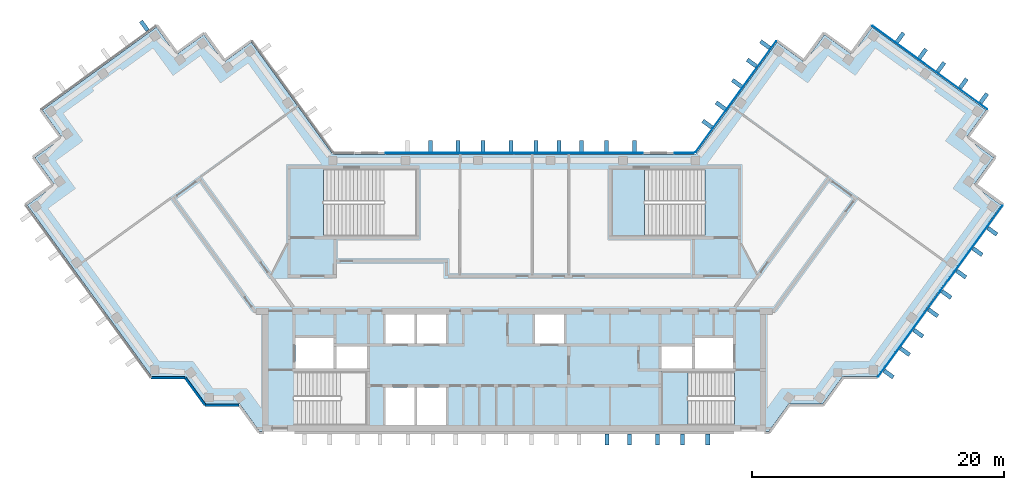
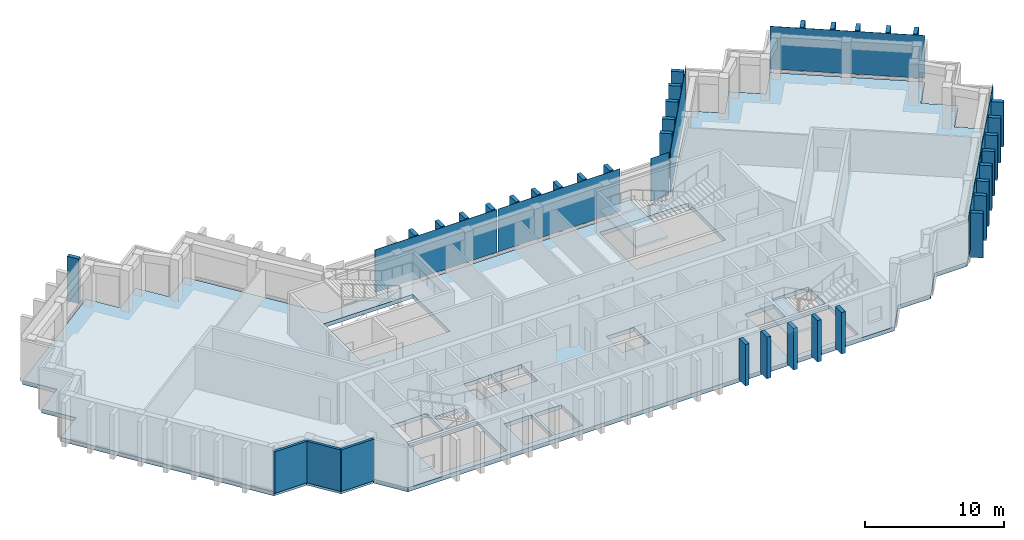
"""IFC4 building model written with IfcOpenShell, lengths in metres."""

from ifc_helpers import new_model, si_unit, direction, frame, frame_2d, origin, origin_2d, place, context, subcontext, project, spatial, polyline, rectangle, outline, extrude, material, layer, layer_set, type_object, element, aggregate, save


model = new_model("IFC4")

# Units and contexts
model_context = context("Model", 3, precision=1e-05, world=origin(), true_north=direction((0.0, 1.0)))
body_context = subcontext(model_context, "Body", "Model", "MODEL_VIEW")
ifc_project = project(units=[si_unit("LENGTHUNIT", "METRE"), si_unit("AREAUNIT", "SQUARE_METRE"), si_unit("VOLUMEUNIT", "CUBIC_METRE"), si_unit("PLANEANGLEUNIT", "RADIAN"), si_unit("MASSUNIT", "GRAM", prefix="KILO")], contexts=[model_context])

# Site, building, storey
site_placement = place(None, origin())
site = spatial("IfcSite", under=ifc_project, at=site_placement, CompositionType="ELEMENT")
building_placement = place(site_placement, origin())
building = spatial("IfcBuilding", under=site, at=building_placement, Name="Quipu Civic Tower", CompositionType="ELEMENT")
storey_1_placement = place(building_placement, frame((0.0, 0.0, 253.0)))
storey_1 = spatial("IfcBuildingStorey", under=building, at=storey_1_placement, Name="L59", CompositionType="ELEMENT", Elevation=253.0)

# Slab
ifc_material_1 = material(Name="Concrete C40/50", Category="concrete")
ifc_layer_1 = layer(ifc_material_1, 0.35009765625)
ifc_layer_set_1 = layer_set([ifc_layer_1], Name="Concrete C40/50")
slab_type_1 = type_object("IfcSlabType", Name="Floor slab 350 C40/50", PredefinedType="FLOOR", material=ifc_layer_set_1)
slab_1_placement = place(storey_1_placement, frame((0.0, 0.0, -0.35009765625)))
element("IfcSlab", 1, at=slab_1_placement, inside=storey_1, type_object=slab_type_1, Name="Floor slab L59", PredefinedType="FLOOR", context=body_context, shape_type="SweptSolid", body=[
    extrude(outline(polyline([(20.860107421875, 19.89501953125), (23.0400390625, 18.31005859375), (24.6298828125, 20.4951171875), (26.81494140625, 18.905029296875), (28.39990234375, 21.090087890625), (37.4599609375, 14.5048828125), (35.875, 12.320068359375), (38.06005859375, 10.735107421875), (36.469970703125, 8.550048828125), (38.655029296875, 6.965087890625), (28.780029296875, -6.6298828125), (26.080078125, -6.6298828125), (24.489990234375, -8.81494140625), (21.7900390625, -8.81494140625), (20.205078125, -11.0), (-20.205078125, -11.0), (-21.7900390625, -8.81494140625), (-24.489990234375, -8.81494140625), (-26.080078125, -6.6298828125), (-28.780029296875, -6.6298828125), (-38.655029296875, 6.965087890625), (-36.469970703125, 8.550048828125), (-38.06005859375, 10.735107421875), (-35.875, 12.320068359375), (-37.4599609375, 14.5048828125), (-28.39990234375, 21.090087890625), (-26.81494140625, 18.905029296875), (-24.6298828125, 20.4951171875), (-23.0400390625, 18.31005859375), (-20.860107421875, 19.89501953125), (-14.39501953125, 11.0), (14.39501953125, 11.0), (20.860107421875, 19.89501953125)]), holes=[polyline([(-10.199951171875, -10.5), (-7.89990234375, -10.5), (-7.89990234375, -7.5), (-10.199951171875, -7.5), (-10.199951171875, -10.5)]), polyline([(-7.699951171875, -7.5), (-7.699951171875, -10.5), (-5.39990234375, -10.5), (-5.39990234375, -7.5), (-7.699951171875, -7.5)]), polyline([(-11.705078125, -6.2548828125), (-17.4951171875, -6.2548828125), (-17.4951171875, -10.4951171875), (-11.705078125, -10.4951171875), (-11.705078125, -6.2548828125)]), polyline([(-14.10009765625, -6.0), (-11.699951171875, -6.0), (-11.699951171875, -4.25), (-14.10009765625, -4.25), (-14.10009765625, -6.0)]), polyline([(-17.35009765625, -3.60009765625), (-17.35009765625, -6.0), (-14.35009765625, -6.0), (-14.35009765625, -3.60009765625), (-17.35009765625, -3.60009765625)]), polyline([(-10.199951171875, -1.699951171875), (-10.199951171875, -4.0), (-7.89990234375, -4.0), (-7.89990234375, -1.699951171875), (-10.199951171875, -1.699951171875)]), polyline([(-15.14501953125, 9.844970703125), (-15.14501953125, 4.5048828125), (-7.7548828125, 4.5048828125), (-7.7548828125, 9.844970703125), (-15.14501953125, 9.844970703125)]), polyline([(11.705078125, -10.4951171875), (17.4951171875, -10.4951171875), (17.4951171875, -6.2548828125), (11.705078125, -6.2548828125), (11.705078125, -10.4951171875)]), polyline([(11.699951171875, -4.25), (11.699951171875, -6.0), (14.10009765625, -6.0), (14.10009765625, -4.25), (11.699951171875, -4.25)]), polyline([(14.35009765625, -3.60009765625), (14.35009765625, -6.0), (17.35009765625, -6.0), (17.35009765625, -3.60009765625), (14.35009765625, -3.60009765625)]), polyline([(-7.699951171875, -1.699951171875), (-7.699951171875, -4.0), (-5.39990234375, -4.0), (-5.39990234375, -1.699951171875), (-7.699951171875, -1.699951171875)]), polyline([(1.64990234375, -1.699951171875), (1.64990234375, -4.0), (3.949951171875, -4.0), (3.949951171875, -1.699951171875), (1.64990234375, -1.699951171875)]), polyline([(7.7548828125, 4.5048828125), (15.14501953125, 4.5048828125), (15.14501953125, 9.844970703125), (7.7548828125, 9.844970703125), (7.7548828125, 4.5048828125)])]), origin(), (0.0, 0.0, 1.0), 0.35009765625),
])

# Storey
storey_2_placement = place(building_placement, frame((0.0, 0.0, 257.0)))
storey_2 = spatial("IfcBuildingStorey", under=building, at=storey_2_placement, Name="L60", CompositionType="ELEMENT", Elevation=257.0)

# Curtain wall, plates
ifc_material_2 = material(Name="Insulated glass unit", Category="glass")
curtain_wall_type = type_object("IfcCurtainWallType", Name="Office curtain wall CW1", PredefinedType="NOTDEFINED", material=ifc_material_2)
curtain_wall_1_placement = place(storey_2_placement, origin())
curtain_wall_1 = element("IfcCurtainWall", 2, at=curtain_wall_1_placement, inside=storey_2, type_object=curtain_wall_type, Name="Office curtain wall CW1 L59 run 13", PredefinedType="NOTDEFINED")
ifc_material_3 = material(Name="Insulated glass unit", Category="glass")
ifc_layer_2 = layer(ifc_material_3, 0.028076171875)
ifc_layer_set_2 = layer_set([ifc_layer_2], Name="Insulated glass unit")
plate_type_1 = type_object("IfcPlateType", Name="Glass panel CW1", PredefinedType="CURTAIN_PANEL", material=ifc_layer_set_2)
plate_1_placement = place(storey_1_placement, frame((31.333251953125, -3.285888671875, 0.240234375), z_axis=(0.0, 0.0, 1.0), x_axis=(0.587786237643, 0.809016278475, 0.0)))
plate_1 = element("IfcPlate", 3, at=plate_1_placement, inside=storey_1, type_object=plate_type_1, Name="CW1 panel 1.1", PredefinedType="CURTAIN_PANEL", context=body_context, shape_type="SweptSolid", body=[
    extrude(rectangle(XDim=8.35791015625, YDim=0.028076171875, at=origin_2d()), origin(), (0.0, 0.0, 1.0), 3.760009765625),
])
plate_2_placement = place(storey_1_placement, frame((36.292724609375, 3.54052734375, 0.240234375), z_axis=(0.0, 0.0, 1.0), x_axis=(0.587786237643, 0.809016278475, 0.0)))
plate_2 = element("IfcPlate", 4, at=plate_2_placement, inside=storey_1, type_object=plate_type_1, Name="CW1 panel 2.1", PredefinedType="CURTAIN_PANEL", context=body_context, shape_type="SweptSolid", body=[
    extrude(rectangle(XDim=8.35791015625, YDim=0.028076171875, at=origin_2d()), origin(), (0.0, 0.0, 1.0), 3.760009765625),
])
aggregate(curtain_wall_1, [plate_1, plate_2])

# Curtain wall, plate
curtain_wall_2_placement = place(storey_2_placement, origin())
curtain_wall_2 = element("IfcCurtainWall", 5, at=curtain_wall_2_placement, inside=storey_2, type_object=curtain_wall_type, Name="Office curtain wall CW1 L59 run 18", PredefinedType="NOTDEFINED")
plate_3_placement = place(storey_1_placement, frame((32.989990234375, 17.87939453125, 0.240234375), z_axis=(0.0, 0.0, 1.0), x_axis=(-0.809015176832, 0.587787753918, 0.0)))
plate_3 = element("IfcPlate", 6, at=plate_3_placement, inside=storey_1, type_object=plate_type_1, Name="CW1 panel 1.1", PredefinedType="CURTAIN_PANEL", context=body_context, shape_type="SweptSolid", body=[
    extrude(rectangle(XDim=11.239990234375, YDim=0.028076171875, at=origin_2d()), origin(), (0.0, 0.0, 1.0), 3.760009765625),
])
aggregate(curtain_wall_2, [plate_3])

curtain_wall_3_placement = place(storey_2_placement, origin())
curtain_wall_3 = element("IfcCurtainWall", 7, at=curtain_wall_3_placement, inside=storey_2, type_object=curtain_wall_type, Name="Office curtain wall CW1 L59 run 23", PredefinedType="NOTDEFINED")
plate_4_placement = place(storey_1_placement, frame((17.590087890625, 15.5673828125, 0.240234375), z_axis=(0.0, 0.0, 1.0), x_axis=(-0.587787771652, -0.809015163947, 0.0)))
plate_4 = element("IfcPlate", 8, at=plate_4_placement, inside=storey_1, type_object=plate_type_1, Name="CW1 panel 1.1", PredefinedType="CURTAIN_PANEL", context=body_context, shape_type="SweptSolid", body=[
    extrude(rectangle(XDim=10.88427734375, YDim=0.028076171875, at=origin_2d()), origin(), (0.0, 0.0, 1.0), 3.760009765625),
])
aggregate(curtain_wall_3, [plate_4])

curtain_wall_4_placement = place(storey_2_placement, origin())
curtain_wall_4 = element("IfcCurtainWall", 9, at=curtain_wall_4_placement, inside=storey_2, type_object=curtain_wall_type, Name="Office curtain wall CW1 L59 run 24", PredefinedType="NOTDEFINED")
plate_5_placement = place(storey_1_placement, frame((13.49951171875, 11.10009765625, 0.240234375), z_axis=(0.0, 0.0, 1.0), x_axis=(-1.0, 0.0, 0.0)))
plate_5 = element("IfcPlate", 10, at=plate_5_placement, inside=storey_1, type_object=plate_type_1, Name="CW1 panel 1.1", PredefinedType="CURTAIN_PANEL", context=body_context, shape_type="SweptSolid", body=[
    extrude(rectangle(XDim=1.529296875, YDim=0.028076171875, at=origin_2d()), origin(), (0.0, 0.0, 1.0), 3.760009765625),
])
aggregate(curtain_wall_4, [plate_5])

# Curtain wall, plates
curtain_wall_5_placement = place(storey_2_placement, origin())
curtain_wall_5 = element("IfcCurtainWall", 11, at=curtain_wall_5_placement, inside=storey_2, type_object=curtain_wall_type, Name="Office curtain wall CW1 L59 run 26", PredefinedType="NOTDEFINED")
plate_6_placement = place(storey_1_placement, frame((5.11181640625, 11.10009765625, 0.240234375), z_axis=(0.0, 0.0, 1.0), x_axis=(-1.0, 0.0, 0.0)))
plate_6 = element("IfcPlate", 12, at=plate_6_placement, inside=storey_1, type_object=plate_type_1, Name="CW1 panel 1.1", PredefinedType="CURTAIN_PANEL", context=body_context, shape_type="SweptSolid", body=[
    extrude(rectangle(XDim=10.1435546875, YDim=0.028076171875, at=origin_2d()), origin(), (0.0, 0.0, 1.0), 3.760009765625),
])
plate_7_placement = place(storey_1_placement, frame((-5.11181640625, 11.10009765625, 0.240234375), z_axis=(0.0, 0.0, 1.0), x_axis=(-1.0, 0.0, 0.0)))
plate_7 = element("IfcPlate", 13, at=plate_7_placement, inside=storey_1, type_object=plate_type_1, Name="CW1 panel 2.1", PredefinedType="CURTAIN_PANEL", context=body_context, shape_type="SweptSolid", body=[
    extrude(rectangle(XDim=10.1435546875, YDim=0.028076171875, at=origin_2d()), origin(), (0.0, 0.0, 1.0), 3.760009765625),
])
aggregate(curtain_wall_5, [plate_6, plate_7])

# Plates
ifc_material_4 = material(Name="Precast concrete C40/50", Category="concrete")
plate_type_2 = type_object("IfcPlateType", Name="Precast fin F3", PredefinedType="SHEET", material=ifc_material_4)
for number, where, z_axis, x_axis, name in (
    (14, (7.360107421875, -11.637939453125, 0.0), (0.0, 0.0, 1.0), (1.0, 0.0, 0.0), "Precast fin F3 L59.7.13"),
    (15, (9.159912109375, -11.637939453125, 0.0), (0.0, 0.0, 1.0), (1.0, 0.0, 0.0), "Precast fin F3 L59.7.14"),
    (16, (11.360107421875, -11.637939453125, 0.0), (0.0, 0.0, 1.0), (1.0, 0.0, 0.0), "Precast fin F3 L59.7.15"),
    (17, (13.360107421875, -11.637939453125, 0.0), (0.0, 0.0, 1.0), (1.0, 0.0, 0.0), "Precast fin F3 L59.7.16"),
    (18, (15.360107421875, -11.637939453125, 0.0), (0.0, 0.0, 1.0), (1.0, 0.0, 0.0), "Precast fin F3 L59.7.17"),
):
    element("IfcPlate", number, at=place(storey_1_placement, frame(where, z_axis=z_axis, x_axis=x_axis)), inside=storey_1, type_object=plate_type_2, Name=name, PredefinedType="SHEET", context=body_context, shape_type="SweptSolid", body=[
        extrude(rectangle(XDim=0.320068359375, YDim=0.89990234375, at=origin_2d()), origin(), (0.0, 0.0, 1.0), 3.64990234375),
    ])
for number, where, z_axis, x_axis, name in (
    (19, (29.721923828125, -6.43896484375, 0.080078125), (0.0, 0.0, 1.0), (0.587786668783, 0.809015965233, 0.0), "Precast fin F3 L59.13.1"),
    (20, (31.01513671875, -4.6591796875, 0.080078125), (0.0, 0.0, 1.0), (0.587786668783, 0.809015965233, 0.0), "Precast fin F3 L59.13.2"),
    (21, (32.0732421875, -3.202880859375, 0.080078125), (0.0, 0.0, 1.0), (0.587786668783, 0.809015965233, 0.0), "Precast fin F3 L59.13.3"),
    (22, (33.248779296875, -1.5849609375, 0.080078125), (0.0, 0.0, 1.0), (0.587786668783, 0.809015965233, 0.0), "Precast fin F3 L59.13.4"),
    (23, (34.306640625, -0.128662109375, 0.080078125), (0.0, 0.0, 1.0), (0.587786668783, 0.809015965233, 0.0), "Precast fin F3 L59.13.5"),
    (24, (35.482177734375, 1.489501953125, 0.080078125), (0.0, 0.0, 1.0), (0.587786668783, 0.809015965233, 0.0), "Precast fin F3 L59.13.6"),
    (25, (36.775390625, 3.269287109375, 0.080078125), (0.0, 0.0, 1.0), (0.587786668783, 0.809015965233, 0.0), "Precast fin F3 L59.13.7"),
    (26, (37.950927734375, 4.88720703125, 0.080078125), (0.0, 0.0, 1.0), (0.587786668783, 0.809015965233, 0.0), "Precast fin F3 L59.13.8"),
    (27, (37.26953125, 15.449951171875, 0.080078125), (0.0, 0.0, 1.0), (-0.809017072762, 0.587785144401, 0.0), "Precast fin F3 L59.18.1"),
    (28, (35.6513671875, 16.62548828125, 0.080078125), (0.0, 0.0, 1.0), (-0.809017072762, 0.587785144401, 0.0), "Precast fin F3 L59.18.2"),
    (29, (33.87158203125, 17.918701171875, 0.080078125), (0.0, 0.0, 1.0), (-0.809017072762, 0.587785144401, 0.0), "Precast fin F3 L59.18.3"),
    (30, (32.415283203125, 18.976806640625, 0.080078125), (0.0, 0.0, 1.0), (-0.809017072762, 0.587785144401, 0.0), "Precast fin F3 L59.18.4"),
    (31, (30.635498046875, 20.269775390625, 0.080078125), (0.0, 0.0, 1.0), (-0.809017072762, 0.587785144401, 0.0), "Precast fin F3 L59.18.5"),
    (32, (19.914794921875, 19.702880859375, 0.080078125), (0.0, 0.0, 1.0), (-0.58778443384, -0.809017589015, 0.0), "Precast fin F3 L59.23.1"),
    (33, (18.856689453125, 18.246826171875, 0.080078125), (0.0, 0.0, 1.0), (-0.58778443384, -0.809017589015, 0.0), "Precast fin F3 L59.23.2"),
    (34, (17.68115234375, 16.628662109375, 0.080078125), (0.0, 0.0, 1.0), (-0.58778443384, -0.809017589015, 0.0), "Precast fin F3 L59.23.3"),
    (35, (16.38818359375, 14.848876953125, 0.080078125), (0.0, 0.0, 1.0), (-0.58778443384, -0.809017589015, 0.0), "Precast fin F3 L59.23.4"),
    (36, (15.330078125, 13.392578125, 0.080078125), (0.0, 0.0, 1.0), (-0.58778443384, -0.809017589015, 0.0), "Precast fin F3 L59.23.5"),
    (37, (9.5400390625, 11.64990234375, 0.080078125), (0.0, 0.0, 1.0), (-1.0, 0.0, 0.0), "Precast fin F3 L59.26.1"),
    (38, (7.340087890625, 11.64990234375, 0.080078125), (0.0, 0.0, 1.0), (-1.0, 0.0, 0.0), "Precast fin F3 L59.26.2"),
    (39, (5.340087890625, 11.64990234375, 0.080078125), (0.0, 0.0, 1.0), (-1.0, 0.0, 0.0), "Precast fin F3 L59.26.3"),
    (40, (3.5400390625, 11.64990234375, 0.080078125), (0.0, 0.0, 1.0), (-1.0, 0.0, 0.0), "Precast fin F3 L59.26.4"),
    (41, (1.739990234375, 11.64990234375, 0.080078125), (0.0, 0.0, 1.0), (-1.0, 0.0, 0.0), "Precast fin F3 L59.26.5"),
    (42, (-0.260009765625, 11.64990234375, 0.080078125), (0.0, 0.0, 1.0), (-1.0, 0.0, 0.0), "Precast fin F3 L59.26.6"),
    (43, (-2.4599609375, 11.64990234375, 0.080078125), (0.0, 0.0, 1.0), (-1.0, 0.0, 0.0), "Precast fin F3 L59.26.7"),
    (44, (-4.4599609375, 11.64990234375, 0.080078125), (0.0, 0.0, 1.0), (-1.0, 0.0, 0.0), "Precast fin F3 L59.26.8"),
    (45, (-6.659912109375, 11.64990234375, 0.080078125), (0.0, 0.0, 1.0), (-1.0, 0.0, 0.0), "Precast fin F3 L59.26.9"),
    (46, (-29.357177734375, 21.198486328125, 0.080078125), (0.0, 0.0, 1.0), (-0.809017072762, -0.587785144401, 0.0), "Precast fin F3 L59.34.1"),
):
    element("IfcPlate", number, at=place(storey_1_placement, frame(where, z_axis=z_axis, x_axis=x_axis)), inside=storey_1, type_object=plate_type_2, Name=name, PredefinedType="SHEET", context=body_context, shape_type="SweptSolid", body=[
        extrude(rectangle(XDim=0.320068359375, YDim=0.89990234375, at=origin_2d()), origin(), (0.0, 0.0, 1.0), 3.919921875),
    ])

# Stair, slab
ifc_material_5 = material(Name="Concrete C40/50", Category="concrete")
stair_type_1 = type_object("IfcStairType", Name="Half turn stair 2000", PredefinedType="HALF_TURN_STAIR", material=ifc_material_5)
stair_1_placement = place(storey_1_placement, origin())
stair_1 = element("IfcStair", 47, at=stair_1_placement, inside=storey_1, type_object=stair_type_1, Name="Exit stair 2", PredefinedType="HALF_TURN_STAIR")
ifc_material_6 = material(Name="Concrete C40/50", Category="concrete")
ifc_layer_3 = layer(ifc_material_6, 0.199951171875)
ifc_layer_set_3 = layer_set([ifc_layer_3], Name="Concrete C40/50")
slab_type_2 = type_object("IfcSlabType", Name="Stair landing 200", PredefinedType="LANDING", material=ifc_layer_set_3)
slab_2_placement = place(storey_1_placement, frame((0.0, 0.0, 1.800048828125)))
slab_2 = element("IfcSlab", 48, at=slab_2_placement, type_object=slab_type_2, Name="ST-2 landing 1", PredefinedType="LANDING", context=body_context, shape_type="SweptSolid", body=[
    extrude(outline(polyline([(13.780029296875, -6.25), (11.699951171875, -6.25), (11.699951171875, -10.5), (13.780029296875, -10.5), (13.780029296875, -6.25)])), origin(), (0.0, 0.0, 1.0), 0.199951171875),
])
aggregate(stair_1, [slab_2])

ifc_material_7 = material(Name="Concrete C40/50", Category="concrete")
stair_type_2 = type_object("IfcStairType", Name="Half turn stair 2600", PredefinedType="HALF_TURN_STAIR", material=ifc_material_7)
stair_2_placement = place(storey_1_placement, origin())
stair_2 = element("IfcStair", 49, at=stair_2_placement, inside=storey_1, type_object=stair_type_2, Name="Exit stair 4", PredefinedType="HALF_TURN_STAIR")
slab_3_placement = place(storey_1_placement, frame((0.0, 0.0, 1.800048828125)))
slab_3 = element("IfcSlab", 50, at=slab_3_placement, type_object=slab_type_2, Name="ST-4 landing 1", PredefinedType="LANDING", context=body_context, shape_type="SweptSolid", body=[
    extrude(outline(polyline([(10.35009765625, 9.85009765625), (7.75, 9.85009765625), (7.75, 4.5), (10.35009765625, 4.5), (10.35009765625, 9.85009765625)])), origin(), (0.0, 0.0, 1.0), 0.199951171875),
])
aggregate(stair_2, [slab_3])

# Walls
ifc_material_8 = material(Name="Precast concrete C40/50", Category="concrete")
wall_type = type_object("IfcWallType", Name="Precast cladding wall", PredefinedType="SOLIDWALL", material=ifc_material_8)
wall_1_placement = place(storey_1_placement, frame((-28.829833984375, -6.71923828125, 0.0), z_axis=(0.0, 0.0, 1.0), x_axis=(1.0, 0.0, 0.0)))
element("IfcWall", 51, at=wall_1_placement, inside=storey_1, type_object=wall_type, Name="Precast cladding wall L59 36", PredefinedType="SOLIDWALL", context=body_context, shape_type="SweptSolid", body=[
    extrude(rectangle(XDim=2.699951171875, YDim=0.199951171875, at=frame_2d((1.35009765625, 0.0))), origin(), (0.0, 0.0, 1.0), 3.64990234375),
])
wall_2_placement = place(storey_1_placement, frame((-26.1201171875, -6.72412109375, 0.0), z_axis=(0.0, 0.0, 1.0), x_axis=(0.587720002413, -0.809064397168, 0.0)))
element("IfcWall", 52, at=wall_2_placement, inside=storey_1, type_object=wall_type, Name="Precast cladding wall L59 37", PredefinedType="SOLIDWALL", context=body_context, shape_type="SweptSolid", body=[
    extrude(rectangle(XDim=2.7001953125, YDim=0.199951171875, at=frame_2d((1.35009765625, 0.0))), origin(), (0.0, 0.0, 1.0), 3.64990234375),
])
wall_3_placement = place(storey_1_placement, frame((-24.542724609375, -8.90380859375, 0.0), z_axis=(0.0, 0.0, 1.0), x_axis=(1.0, 0.0, 0.0)))
element("IfcWall", 53, at=wall_3_placement, inside=storey_1, type_object=wall_type, Name="Precast cladding wall L59 38", PredefinedType="SOLIDWALL", context=body_context, shape_type="SweptSolid", body=[
    extrude(rectangle(XDim=2.699951171875, YDim=0.199951171875, at=frame_2d((1.35009765625, 0.0))), origin(), (0.0, 0.0, 1.0), 3.64990234375),
])

save(model, "model.ifc")
